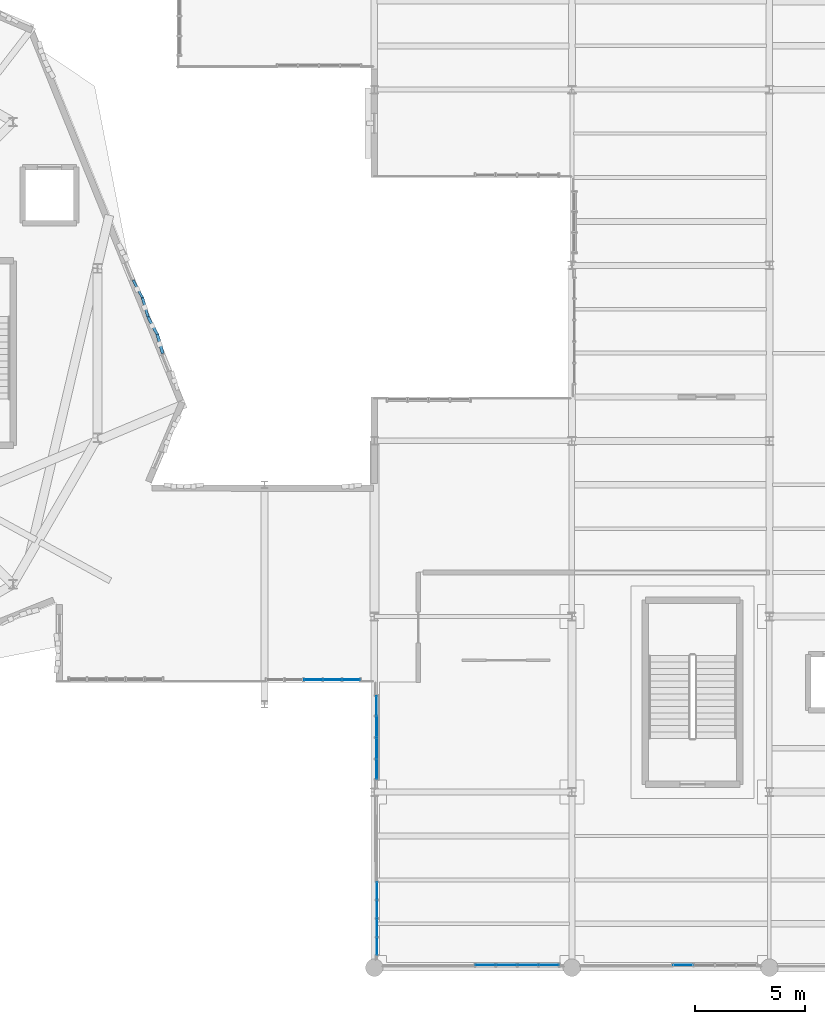
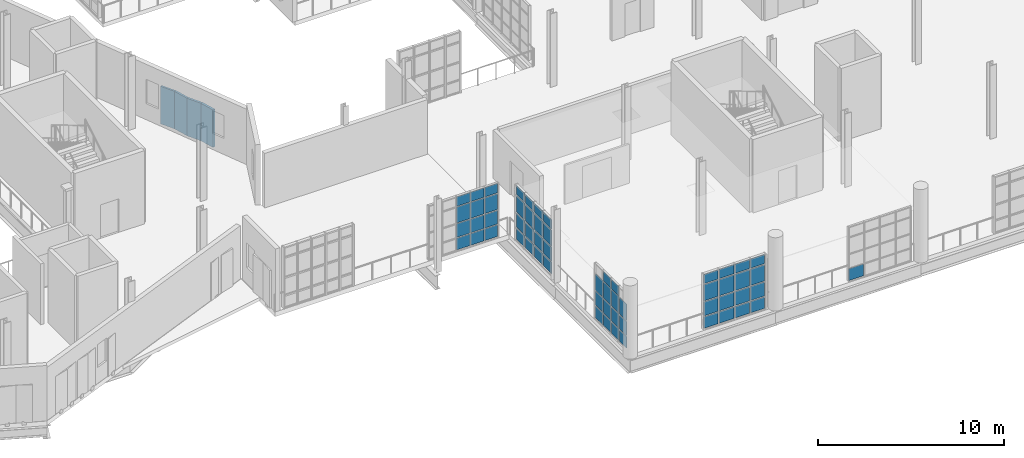
# One storey, part 81 of 122: 63 plates, 5 elements without a shape of their own.
"""IFC4 building model written with IfcOpenShell, lengths in metres."""

from ifc_helpers import new_model, si_unit, direction, frame, frame_2d, origin, origin_2d, place, context, subcontext, project, spatial, rectangle, extrude, material, layer, layer_set, type_object, element, aggregate, save


model = new_model("IFC4")

# Units and contexts
model_context = context("Model", 3, precision=1e-05, world=origin(), true_north=direction((0.0, 1.0)))
body_context = subcontext(model_context, "Body", "Model", "MODEL_VIEW")
ifc_project = project(units=[si_unit("LENGTHUNIT", "METRE"), si_unit("AREAUNIT", "SQUARE_METRE"), si_unit("VOLUMEUNIT", "CUBIC_METRE"), si_unit("PLANEANGLEUNIT", "RADIAN"), si_unit("MASSUNIT", "GRAM", prefix="KILO"), si_unit("THERMODYNAMICTEMPERATUREUNIT", "KELVIN"), si_unit("POWERUNIT", "WATT")], contexts=[model_context])

# Site, building, storey
site_placement = place(None, origin())
site = spatial("IfcSite", under=ifc_project, at=site_placement, CompositionType="ELEMENT")
building_placement = place(site_placement, origin())
building = spatial("IfcBuilding", under=site, at=building_placement, Name="Zelmaris Science Centre", CompositionType="ELEMENT")
storey_placement = place(building_placement, frame((0.0, 0.0, 10.800048828125)))
storey = spatial("IfcBuildingStorey", under=building, at=storey_placement, Name="L02", CompositionType="ELEMENT", Elevation=10.800048828125)

# Curtain wall, plates
ifc_material_1 = material(Name="Anodised architectural aluminium 6063-T6", Category="aluminium")
ifc_layer_1 = layer(ifc_material_1, 0.199951171875, Name="Anodised architectural aluminium 6063-T6")
ifc_layer_set_1 = layer_set([ifc_layer_1], Name="Anodised architectural aluminium 6063-T6")
curtain_wall_type_1 = type_object("IfcCurtainWallType", Name="Curtain Wall CW-02", PredefinedType="USERDEFINED", material=ifc_layer_set_1)
curtain_wall_1_placement = place(storey_placement, origin())
curtain_wall_1 = element("IfcCurtainWall", 1, at=curtain_wall_1_placement, inside=storey, type_object=curtain_wall_type_1, Name="L02 Unitised curtain wall 242", ObjectType="GLAZED CURTAIN WALL", PredefinedType="USERDEFINED")
ifc_material_2 = material(Name="Laminated hurricane-rated low-E insulated glazing", Category="glass")
ifc_layer_2 = layer(ifc_material_2, 0.028076171875, Name="Laminated hurricane-rated low-E insulated glazing")
ifc_layer_set_2 = layer_set([ifc_layer_2], Name="Laminated hurricane-rated low-E insulated glazing")
plate_type_1 = type_object("IfcPlateType", Name="Curtain Glazing Panel CWP-2 28mm", PredefinedType="CURTAIN_PANEL", material=ifc_layer_set_2)
plate_1_placement = place(storey_placement, frame((115.955810546875, 8.1201171875, 0.052001953125), z_axis=(0.0, 0.0, 1.0), x_axis=(-1.0, 0.0, 0.0)))
plate_1 = element("IfcPlate", 2, at=plate_1_placement, type_object=plate_type_1, Name="CW-02 panel 1.1", PredefinedType="CURTAIN_PANEL", context=body_context, shape_type="SweptSolid", body=[
    extrude(rectangle(XDim=0.87451171875, YDim=0.028076171875, at=origin_2d()), origin(), (0.0, 0.0, 1.0), 0.74951171875),
])
plate_2_placement = place(storey_placement, frame((115.955810546875, 8.1201171875, 0.868408203125), z_axis=(0.0, 0.0, 1.0), x_axis=(-1.0, 0.0, 0.0)))
plate_2 = element("IfcPlate", 3, at=plate_2_placement, type_object=plate_type_1, Name="CW-02 panel 1.2", PredefinedType="CURTAIN_PANEL", context=body_context, shape_type="SweptSolid", body=[
    extrude(rectangle(XDim=0.87451171875, YDim=0.028076171875, at=origin_2d()), origin(), (0.0, 0.0, 1.0), 0.91357421875),
])
plate_3_placement = place(storey_placement, frame((115.955810546875, 8.1201171875, 1.848876953125), z_axis=(0.0, 0.0, 1.0), x_axis=(-1.0, 0.0, 0.0)))
plate_3 = element("IfcPlate", 4, at=plate_3_placement, type_object=plate_type_1, Name="CW-02 panel 1.3", PredefinedType="CURTAIN_PANEL", context=body_context, shape_type="SweptSolid", body=[
    extrude(rectangle(XDim=0.87451171875, YDim=0.028076171875, at=origin_2d()), origin(), (0.0, 0.0, 1.0), 1.0634765625),
])
plate_4_placement = place(storey_placement, frame((115.955810546875, 8.1201171875, 2.9794921875), z_axis=(0.0, 0.0, 1.0), x_axis=(-1.0, 0.0, 0.0)))
plate_4 = element("IfcPlate", 5, at=plate_4_placement, type_object=plate_type_1, Name="CW-02 panel 1.4", PredefinedType="CURTAIN_PANEL", context=body_context, shape_type="SweptSolid", body=[
    extrude(rectangle(XDim=0.87451171875, YDim=0.028076171875, at=origin_2d()), origin(), (0.0, 0.0, 1.0), 0.599609375),
])
plate_5_placement = place(storey_placement, frame((114.99755859375, 8.1201171875, 0.052001953125), z_axis=(0.0, 0.0, 1.0), x_axis=(-1.0, 0.0, 0.0)))
plate_5 = element("IfcPlate", 6, at=plate_5_placement, type_object=plate_type_1, Name="CW-02 panel 2.1", PredefinedType="CURTAIN_PANEL", context=body_context, shape_type="SweptSolid", body=[
    extrude(rectangle(XDim=0.907958984375, YDim=0.028076171875, at=origin_2d()), origin(), (0.0, 0.0, 1.0), 0.74951171875),
])
plate_6_placement = place(storey_placement, frame((114.99755859375, 8.1201171875, 0.868408203125), z_axis=(0.0, 0.0, 1.0), x_axis=(-1.0, 0.0, 0.0)))
plate_6 = element("IfcPlate", 7, at=plate_6_placement, type_object=plate_type_1, Name="CW-02 panel 2.2", PredefinedType="CURTAIN_PANEL", context=body_context, shape_type="SweptSolid", body=[
    extrude(rectangle(XDim=0.907958984375, YDim=0.028076171875, at=origin_2d()), origin(), (0.0, 0.0, 1.0), 0.91357421875),
])
plate_7_placement = place(storey_placement, frame((114.99755859375, 8.1201171875, 1.848876953125), z_axis=(0.0, 0.0, 1.0), x_axis=(-1.0, 0.0, 0.0)))
plate_7 = element("IfcPlate", 8, at=plate_7_placement, type_object=plate_type_1, Name="CW-02 panel 2.3", PredefinedType="CURTAIN_PANEL", context=body_context, shape_type="SweptSolid", body=[
    extrude(rectangle(XDim=0.907958984375, YDim=0.028076171875, at=origin_2d()), origin(), (0.0, 0.0, 1.0), 1.0634765625),
])
plate_8_placement = place(storey_placement, frame((114.99755859375, 8.1201171875, 2.9794921875), z_axis=(0.0, 0.0, 1.0), x_axis=(-1.0, 0.0, 0.0)))
plate_8 = element("IfcPlate", 9, at=plate_8_placement, type_object=plate_type_1, Name="CW-02 panel 2.4", PredefinedType="CURTAIN_PANEL", context=body_context, shape_type="SweptSolid", body=[
    extrude(rectangle(XDim=0.907958984375, YDim=0.028076171875, at=origin_2d()), origin(), (0.0, 0.0, 1.0), 0.599609375),
])
plate_9_placement = place(storey_placement, frame((114.0224609375, 8.1201171875, 0.052001953125), z_axis=(0.0, 0.0, 1.0), x_axis=(-1.0, 0.0, 0.0)))
plate_9 = element("IfcPlate", 10, at=plate_9_placement, type_object=plate_type_1, Name="CW-02 panel 3.1", PredefinedType="CURTAIN_PANEL", context=body_context, shape_type="SweptSolid", body=[
    extrude(rectangle(XDim=0.907958984375, YDim=0.028076171875, at=origin_2d()), origin(), (0.0, 0.0, 1.0), 0.74951171875),
])
plate_10_placement = place(storey_placement, frame((114.0224609375, 8.1201171875, 0.868408203125), z_axis=(0.0, 0.0, 1.0), x_axis=(-1.0, 0.0, 0.0)))
plate_10 = element("IfcPlate", 11, at=plate_10_placement, type_object=plate_type_1, Name="CW-02 panel 3.2", PredefinedType="CURTAIN_PANEL", context=body_context, shape_type="SweptSolid", body=[
    extrude(rectangle(XDim=0.907958984375, YDim=0.028076171875, at=origin_2d()), origin(), (0.0, 0.0, 1.0), 0.91357421875),
])
plate_11_placement = place(storey_placement, frame((114.0224609375, 8.1201171875, 1.848876953125), z_axis=(0.0, 0.0, 1.0), x_axis=(-1.0, 0.0, 0.0)))
plate_11 = element("IfcPlate", 12, at=plate_11_placement, type_object=plate_type_1, Name="CW-02 panel 3.3", PredefinedType="CURTAIN_PANEL", context=body_context, shape_type="SweptSolid", body=[
    extrude(rectangle(XDim=0.907958984375, YDim=0.028076171875, at=origin_2d()), origin(), (0.0, 0.0, 1.0), 1.0634765625),
])
plate_12_placement = place(storey_placement, frame((114.0224609375, 8.1201171875, 2.9794921875), z_axis=(0.0, 0.0, 1.0), x_axis=(-1.0, 0.0, 0.0)))
plate_12 = element("IfcPlate", 13, at=plate_12_placement, type_object=plate_type_1, Name="CW-02 panel 3.4", PredefinedType="CURTAIN_PANEL", context=body_context, shape_type="SweptSolid", body=[
    extrude(rectangle(XDim=0.907958984375, YDim=0.028076171875, at=origin_2d()), origin(), (0.0, 0.0, 1.0), 0.599609375),
])
plate_13_placement = place(storey_placement, frame((113.064208984375, 8.1201171875, 0.052001953125), z_axis=(0.0, 0.0, 1.0), x_axis=(-1.0, 0.0, 0.0)))
plate_13 = element("IfcPlate", 14, at=plate_13_placement, type_object=plate_type_1, Name="CW-02 panel 4.1", PredefinedType="CURTAIN_PANEL", context=body_context, shape_type="SweptSolid", body=[
    extrude(rectangle(XDim=0.87451171875, YDim=0.028076171875, at=origin_2d()), origin(), (0.0, 0.0, 1.0), 0.74951171875),
])
plate_14_placement = place(storey_placement, frame((113.064208984375, 8.1201171875, 0.868408203125), z_axis=(0.0, 0.0, 1.0), x_axis=(-1.0, 0.0, 0.0)))
plate_14 = element("IfcPlate", 15, at=plate_14_placement, type_object=plate_type_1, Name="CW-02 panel 4.2", PredefinedType="CURTAIN_PANEL", context=body_context, shape_type="SweptSolid", body=[
    extrude(rectangle(XDim=0.87451171875, YDim=0.028076171875, at=origin_2d()), origin(), (0.0, 0.0, 1.0), 0.91357421875),
])
plate_15_placement = place(storey_placement, frame((113.064208984375, 8.1201171875, 1.848876953125), z_axis=(0.0, 0.0, 1.0), x_axis=(-1.0, 0.0, 0.0)))
plate_15 = element("IfcPlate", 16, at=plate_15_placement, type_object=plate_type_1, Name="CW-02 panel 4.3", PredefinedType="CURTAIN_PANEL", context=body_context, shape_type="SweptSolid", body=[
    extrude(rectangle(XDim=0.87451171875, YDim=0.028076171875, at=origin_2d()), origin(), (0.0, 0.0, 1.0), 1.0634765625),
])
plate_16_placement = place(storey_placement, frame((113.064208984375, 8.1201171875, 2.9794921875), z_axis=(0.0, 0.0, 1.0), x_axis=(-1.0, 0.0, 0.0)))
plate_16 = element("IfcPlate", 17, at=plate_16_placement, type_object=plate_type_1, Name="CW-02 panel 4.4", PredefinedType="CURTAIN_PANEL", context=body_context, shape_type="SweptSolid", body=[
    extrude(rectangle(XDim=0.87451171875, YDim=0.028076171875, at=origin_2d()), origin(), (0.0, 0.0, 1.0), 0.599609375),
])
aggregate(curtain_wall_1, [plate_1, plate_2, plate_3, plate_4, plate_5, plate_6, plate_7, plate_8, plate_9, plate_10, plate_11, plate_12, plate_13, plate_14, plate_15, plate_16])

curtain_wall_2_placement = place(storey_placement, origin())
curtain_wall_2 = element("IfcCurtainWall", 18, at=curtain_wall_2_placement, inside=storey, type_object=curtain_wall_type_1, Name="L02 Unitised curtain wall 246", ObjectType="GLAZED CURTAIN WALL", PredefinedType="USERDEFINED")
plate_17_placement = place(storey_placement, frame((108.110595703125, 17.044189453125, 0.052001953125), z_axis=(0.0, 0.0, 1.0), x_axis=(-0.001051793874, 0.999999446865, 0.0)))
plate_17 = element("IfcPlate", 19, at=plate_17_placement, type_object=plate_type_1, Name="CW-02 panel 1.1", PredefinedType="CURTAIN_PANEL", context=body_context, shape_type="SweptSolid", body=[
    extrude(rectangle(XDim=0.8740234375, YDim=0.028076171875, at=origin_2d()), origin(), (0.0, 0.0, 1.0), 0.74951171875),
])
plate_18_placement = place(storey_placement, frame((108.110595703125, 17.044189453125, 0.868408203125), z_axis=(0.0, 0.0, 1.0), x_axis=(-0.001051793874, 0.999999446865, 0.0)))
plate_18 = element("IfcPlate", 20, at=plate_18_placement, type_object=plate_type_1, Name="CW-02 panel 1.2", PredefinedType="CURTAIN_PANEL", context=body_context, shape_type="SweptSolid", body=[
    extrude(rectangle(XDim=0.8740234375, YDim=0.028076171875, at=origin_2d()), origin(), (0.0, 0.0, 1.0), 0.91259765625),
])
plate_19_placement = place(storey_placement, frame((108.110595703125, 17.044189453125, 1.847900390625), z_axis=(0.0, 0.0, 1.0), x_axis=(-0.001051793874, 0.999999446865, 0.0)))
plate_19 = element("IfcPlate", 21, at=plate_19_placement, type_object=plate_type_1, Name="CW-02 panel 1.3", PredefinedType="CURTAIN_PANEL", context=body_context, shape_type="SweptSolid", body=[
    extrude(rectangle(XDim=0.8740234375, YDim=0.028076171875, at=origin_2d()), origin(), (0.0, 0.0, 1.0), 1.0625),
])
plate_20_placement = place(storey_placement, frame((108.110595703125, 17.044189453125, 2.977294921875), z_axis=(0.0, 0.0, 1.0), x_axis=(-0.001051793874, 0.999999446865, 0.0)))
plate_20 = element("IfcPlate", 22, at=plate_20_placement, type_object=plate_type_1, Name="CW-02 panel 1.4", PredefinedType="CURTAIN_PANEL", context=body_context, shape_type="SweptSolid", body=[
    extrude(rectangle(XDim=0.8740234375, YDim=0.028076171875, at=origin_2d()), origin(), (0.0, 0.0, 1.0), 0.599609375),
])
plate_21_placement = place(storey_placement, frame((108.109619140625, 18.001953125, 0.052001953125), z_axis=(0.0, 0.0, 1.0), x_axis=(-0.001051793874, 0.999999446865, 0.0)))
plate_21 = element("IfcPlate", 23, at=plate_21_placement, type_object=plate_type_1, Name="CW-02 panel 2.1", PredefinedType="CURTAIN_PANEL", context=body_context, shape_type="SweptSolid", body=[
    extrude(rectangle(XDim=0.907470703125, YDim=0.028076171875, at=origin_2d()), origin(), (0.0, 0.0, 1.0), 0.74951171875),
])
plate_22_placement = place(storey_placement, frame((108.109619140625, 18.001953125, 0.868408203125), z_axis=(0.0, 0.0, 1.0), x_axis=(-0.001051793874, 0.999999446865, 0.0)))
plate_22 = element("IfcPlate", 24, at=plate_22_placement, type_object=plate_type_1, Name="CW-02 panel 2.2", PredefinedType="CURTAIN_PANEL", context=body_context, shape_type="SweptSolid", body=[
    extrude(rectangle(XDim=0.907470703125, YDim=0.028076171875, at=origin_2d()), origin(), (0.0, 0.0, 1.0), 0.91259765625),
])
plate_23_placement = place(storey_placement, frame((108.109619140625, 18.001953125, 1.847900390625), z_axis=(0.0, 0.0, 1.0), x_axis=(-0.001051793874, 0.999999446865, 0.0)))
plate_23 = element("IfcPlate", 25, at=plate_23_placement, type_object=plate_type_1, Name="CW-02 panel 2.3", PredefinedType="CURTAIN_PANEL", context=body_context, shape_type="SweptSolid", body=[
    extrude(rectangle(XDim=0.907470703125, YDim=0.028076171875, at=origin_2d()), origin(), (0.0, 0.0, 1.0), 1.0625),
])
plate_24_placement = place(storey_placement, frame((108.109619140625, 18.001953125, 2.977294921875), z_axis=(0.0, 0.0, 1.0), x_axis=(-0.001051793874, 0.999999446865, 0.0)))
plate_24 = element("IfcPlate", 26, at=plate_24_placement, type_object=plate_type_1, Name="CW-02 panel 2.4", PredefinedType="CURTAIN_PANEL", context=body_context, shape_type="SweptSolid", body=[
    extrude(rectangle(XDim=0.907470703125, YDim=0.028076171875, at=origin_2d()), origin(), (0.0, 0.0, 1.0), 0.599609375),
])
plate_25_placement = place(storey_placement, frame((108.108642578125, 18.976318359375, 0.052001953125), z_axis=(0.0, 0.0, 1.0), x_axis=(-0.001051793874, 0.999999446865, 0.0)))
plate_25 = element("IfcPlate", 27, at=plate_25_placement, type_object=plate_type_1, Name="CW-02 panel 3.1", PredefinedType="CURTAIN_PANEL", context=body_context, shape_type="SweptSolid", body=[
    extrude(rectangle(XDim=0.907470703125, YDim=0.028076171875, at=origin_2d()), origin(), (0.0, 0.0, 1.0), 0.74951171875),
])
plate_26_placement = place(storey_placement, frame((108.108642578125, 18.976318359375, 0.868408203125), z_axis=(0.0, 0.0, 1.0), x_axis=(-0.001051793874, 0.999999446865, 0.0)))
plate_26 = element("IfcPlate", 28, at=plate_26_placement, type_object=plate_type_1, Name="CW-02 panel 3.2", PredefinedType="CURTAIN_PANEL", context=body_context, shape_type="SweptSolid", body=[
    extrude(rectangle(XDim=0.907470703125, YDim=0.028076171875, at=origin_2d()), origin(), (0.0, 0.0, 1.0), 0.91259765625),
])
plate_27_placement = place(storey_placement, frame((108.108642578125, 18.976318359375, 1.847900390625), z_axis=(0.0, 0.0, 1.0), x_axis=(-0.001051793874, 0.999999446865, 0.0)))
plate_27 = element("IfcPlate", 29, at=plate_27_placement, type_object=plate_type_1, Name="CW-02 panel 3.3", PredefinedType="CURTAIN_PANEL", context=body_context, shape_type="SweptSolid", body=[
    extrude(rectangle(XDim=0.907470703125, YDim=0.028076171875, at=origin_2d()), origin(), (0.0, 0.0, 1.0), 1.0625),
])
plate_28_placement = place(storey_placement, frame((108.108642578125, 18.976318359375, 2.977294921875), z_axis=(0.0, 0.0, 1.0), x_axis=(-0.001051793874, 0.999999446865, 0.0)))
plate_28 = element("IfcPlate", 30, at=plate_28_placement, type_object=plate_type_1, Name="CW-02 panel 3.4", PredefinedType="CURTAIN_PANEL", context=body_context, shape_type="SweptSolid", body=[
    extrude(rectangle(XDim=0.907470703125, YDim=0.028076171875, at=origin_2d()), origin(), (0.0, 0.0, 1.0), 0.599609375),
])
plate_29_placement = place(storey_placement, frame((108.107421875, 19.93408203125, 0.052001953125), z_axis=(0.0, 0.0, 1.0), x_axis=(-0.001051793874, 0.999999446865, 0.0)))
plate_29 = element("IfcPlate", 31, at=plate_29_placement, type_object=plate_type_1, Name="CW-02 panel 4.1", PredefinedType="CURTAIN_PANEL", context=body_context, shape_type="SweptSolid", body=[
    extrude(rectangle(XDim=0.8740234375, YDim=0.028076171875, at=origin_2d()), origin(), (0.0, 0.0, 1.0), 0.74951171875),
])
plate_30_placement = place(storey_placement, frame((108.107421875, 19.93408203125, 0.868408203125), z_axis=(0.0, 0.0, 1.0), x_axis=(-0.001051793874, 0.999999446865, 0.0)))
plate_30 = element("IfcPlate", 32, at=plate_30_placement, type_object=plate_type_1, Name="CW-02 panel 4.2", PredefinedType="CURTAIN_PANEL", context=body_context, shape_type="SweptSolid", body=[
    extrude(rectangle(XDim=0.8740234375, YDim=0.028076171875, at=origin_2d()), origin(), (0.0, 0.0, 1.0), 0.91259765625),
])
plate_31_placement = place(storey_placement, frame((108.107421875, 19.93408203125, 1.847900390625), z_axis=(0.0, 0.0, 1.0), x_axis=(-0.001051793874, 0.999999446865, 0.0)))
plate_31 = element("IfcPlate", 33, at=plate_31_placement, type_object=plate_type_1, Name="CW-02 panel 4.3", PredefinedType="CURTAIN_PANEL", context=body_context, shape_type="SweptSolid", body=[
    extrude(rectangle(XDim=0.8740234375, YDim=0.028076171875, at=origin_2d()), origin(), (0.0, 0.0, 1.0), 1.0625),
])
plate_32_placement = place(storey_placement, frame((108.107421875, 19.93408203125, 2.977294921875), z_axis=(0.0, 0.0, 1.0), x_axis=(-0.001051793874, 0.999999446865, 0.0)))
plate_32 = element("IfcPlate", 34, at=plate_32_placement, type_object=plate_type_1, Name="CW-02 panel 4.4", PredefinedType="CURTAIN_PANEL", context=body_context, shape_type="SweptSolid", body=[
    extrude(rectangle(XDim=0.8740234375, YDim=0.028076171875, at=origin_2d()), origin(), (0.0, 0.0, 1.0), 0.599609375),
])
aggregate(curtain_wall_2, [plate_17, plate_18, plate_19, plate_20, plate_21, plate_22, plate_23, plate_24, plate_25, plate_26, plate_27, plate_28, plate_29, plate_30, plate_31, plate_32])

ifc_layer_3 = layer(ifc_material_1, 0.2099609375, Name="Anodised architectural aluminium 6063-T6")
ifc_layer_set_3 = layer_set([ifc_layer_3], Name="Anodised architectural aluminium 6063-T6")
curtain_wall_type_2 = type_object("IfcCurtainWallType", Name="Curtain Wall CW-03", PredefinedType="USERDEFINED", material=ifc_layer_set_3)
curtain_wall_3_placement = place(storey_placement, origin())
curtain_wall_3 = element("IfcCurtainWall", 35, at=curtain_wall_3_placement, inside=storey, type_object=curtain_wall_type_2, Name="L02 Unitised curtain wall 247", ObjectType="GLAZED CURTAIN WALL", PredefinedType="USERDEFINED")
ifc_layer_4 = layer(ifc_material_2, 0.02587890625, Name="Laminated hurricane-rated low-E insulated glazing")
ifc_layer_set_4 = layer_set([ifc_layer_4], Name="Laminated hurricane-rated low-E insulated glazing")
plate_type_2 = type_object("IfcPlateType", Name="Curtain Glazing Panel CWP-3 26mm", PredefinedType="CURTAIN_PANEL", material=ifc_layer_set_4)
plate_33_placement = place(storey_placement, frame((106.948486328125, 21.1201171875, 0.0419921875), z_axis=(0.0, 0.0, 1.0), x_axis=(-1.0, 0.0, 0.0)))
plate_33 = element("IfcPlate", 36, at=plate_33_placement, type_object=plate_type_2, Name="CW-03 panel 1.1", PredefinedType="CURTAIN_PANEL", context=body_context, shape_type="SweptSolid", body=[
    extrude(rectangle(XDim=0.7890625, YDim=0.02587890625, at=origin_2d()), origin(), (0.0, 0.0, 1.0), 0.764404296875),
])
plate_34_placement = place(storey_placement, frame((106.948486328125, 21.1201171875, 0.86328125), z_axis=(0.0, 0.0, 1.0), x_axis=(-1.0, 0.0, 0.0)))
plate_34 = element("IfcPlate", 37, at=plate_34_placement, type_object=plate_type_2, Name="CW-03 panel 1.2", PredefinedType="CURTAIN_PANEL", context=body_context, shape_type="SweptSolid", body=[
    extrude(rectangle(XDim=0.7890625, YDim=0.02587890625, at=origin_2d()), origin(), (0.0, 0.0, 1.0), 0.886962890625),
])
plate_35_placement = place(storey_placement, frame((106.948486328125, 21.1201171875, 1.807373046875), z_axis=(0.0, 0.0, 1.0), x_axis=(-1.0, 0.0, 0.0)))
plate_35 = element("IfcPlate", 38, at=plate_35_placement, type_object=plate_type_2, Name="CW-03 panel 1.3", PredefinedType="CURTAIN_PANEL", context=body_context, shape_type="SweptSolid", body=[
    extrude(rectangle(XDim=0.7890625, YDim=0.02587890625, at=origin_2d()), origin(), (0.0, 0.0, 1.0), 1.037109375),
])
plate_36_placement = place(storey_placement, frame((106.948486328125, 21.1201171875, 2.9013671875), z_axis=(0.0, 0.0, 1.0), x_axis=(-1.0, 0.0, 0.0)))
plate_36 = element("IfcPlate", 39, at=plate_36_placement, type_object=plate_type_2, Name="CW-03 panel 1.4", PredefinedType="CURTAIN_PANEL", context=body_context, shape_type="SweptSolid", body=[
    extrude(rectangle(XDim=0.7890625, YDim=0.02587890625, at=origin_2d()), origin(), (0.0, 0.0, 1.0), 0.614501953125),
])
plate_37_placement = place(storey_placement, frame((106.087890625, 21.1201171875, 0.0419921875), z_axis=(0.0, 0.0, 1.0), x_axis=(-1.0, 0.0, 0.0)))
plate_37 = element("IfcPlate", 40, at=plate_37_placement, type_object=plate_type_2, Name="CW-03 panel 2.1", PredefinedType="CURTAIN_PANEL", context=body_context, shape_type="SweptSolid", body=[
    extrude(rectangle(XDim=0.817626953125, YDim=0.02587890625, at=origin_2d()), origin(), (0.0, 0.0, 1.0), 0.764404296875),
])
plate_38_placement = place(storey_placement, frame((106.087890625, 21.1201171875, 0.86328125), z_axis=(0.0, 0.0, 1.0), x_axis=(-1.0, 0.0, 0.0)))
plate_38 = element("IfcPlate", 41, at=plate_38_placement, type_object=plate_type_2, Name="CW-03 panel 2.2", PredefinedType="CURTAIN_PANEL", context=body_context, shape_type="SweptSolid", body=[
    extrude(rectangle(XDim=0.817626953125, YDim=0.02587890625, at=origin_2d()), origin(), (0.0, 0.0, 1.0), 0.886962890625),
])
plate_39_placement = place(storey_placement, frame((106.087890625, 21.1201171875, 1.807373046875), z_axis=(0.0, 0.0, 1.0), x_axis=(-1.0, 0.0, 0.0)))
plate_39 = element("IfcPlate", 42, at=plate_39_placement, type_object=plate_type_2, Name="CW-03 panel 2.3", PredefinedType="CURTAIN_PANEL", context=body_context, shape_type="SweptSolid", body=[
    extrude(rectangle(XDim=0.817626953125, YDim=0.02587890625, at=origin_2d()), origin(), (0.0, 0.0, 1.0), 1.037109375),
])
plate_40_placement = place(storey_placement, frame((106.087890625, 21.1201171875, 2.9013671875), z_axis=(0.0, 0.0, 1.0), x_axis=(-1.0, 0.0, 0.0)))
plate_40 = element("IfcPlate", 43, at=plate_40_placement, type_object=plate_type_2, Name="CW-03 panel 2.4", PredefinedType="CURTAIN_PANEL", context=body_context, shape_type="SweptSolid", body=[
    extrude(rectangle(XDim=0.817626953125, YDim=0.02587890625, at=origin_2d()), origin(), (0.0, 0.0, 1.0), 0.614501953125),
])
plate_41_placement = place(storey_placement, frame((105.21337890625, 21.1201171875, 0.0419921875), z_axis=(0.0, 0.0, 1.0), x_axis=(-1.0, 0.0, 0.0)))
plate_41 = element("IfcPlate", 44, at=plate_41_placement, type_object=plate_type_2, Name="CW-03 panel 3.1", PredefinedType="CURTAIN_PANEL", context=body_context, shape_type="SweptSolid", body=[
    extrude(rectangle(XDim=0.817626953125, YDim=0.02587890625, at=origin_2d()), origin(), (0.0, 0.0, 1.0), 0.764404296875),
])
plate_42_placement = place(storey_placement, frame((105.21337890625, 21.1201171875, 0.86328125), z_axis=(0.0, 0.0, 1.0), x_axis=(-1.0, 0.0, 0.0)))
plate_42 = element("IfcPlate", 45, at=plate_42_placement, type_object=plate_type_2, Name="CW-03 panel 3.2", PredefinedType="CURTAIN_PANEL", context=body_context, shape_type="SweptSolid", body=[
    extrude(rectangle(XDim=0.817626953125, YDim=0.02587890625, at=origin_2d()), origin(), (0.0, 0.0, 1.0), 0.886962890625),
])
plate_43_placement = place(storey_placement, frame((105.21337890625, 21.1201171875, 1.807373046875), z_axis=(0.0, 0.0, 1.0), x_axis=(-1.0, 0.0, 0.0)))
plate_43 = element("IfcPlate", 46, at=plate_43_placement, type_object=plate_type_2, Name="CW-03 panel 3.3", PredefinedType="CURTAIN_PANEL", context=body_context, shape_type="SweptSolid", body=[
    extrude(rectangle(XDim=0.817626953125, YDim=0.02587890625, at=origin_2d()), origin(), (0.0, 0.0, 1.0), 1.037109375),
])
plate_44_placement = place(storey_placement, frame((105.21337890625, 21.1201171875, 2.9013671875), z_axis=(0.0, 0.0, 1.0), x_axis=(-1.0, 0.0, 0.0)))
plate_44 = element("IfcPlate", 47, at=plate_44_placement, type_object=plate_type_2, Name="CW-03 panel 3.4", PredefinedType="CURTAIN_PANEL", context=body_context, shape_type="SweptSolid", body=[
    extrude(rectangle(XDim=0.817626953125, YDim=0.02587890625, at=origin_2d()), origin(), (0.0, 0.0, 1.0), 0.614501953125),
])
aggregate(curtain_wall_3, [plate_33, plate_34, plate_35, plate_36, plate_37, plate_38, plate_39, plate_40, plate_41, plate_42, plate_43, plate_44])

# Curtain wall, plate
ifc_layer_5 = layer(ifc_material_1, 0.219970703125, Name="Anodised architectural aluminium 6063-T6")
ifc_layer_set_5 = layer_set([ifc_layer_5], Name="Anodised architectural aluminium 6063-T6")
curtain_wall_type_3 = type_object("IfcCurtainWallType", Name="Curtain Wall CW-04", PredefinedType="USERDEFINED", material=ifc_layer_set_5)
curtain_wall_4_placement = place(storey_placement, origin())
curtain_wall_4 = element("IfcCurtainWall", 48, at=curtain_wall_4_placement, inside=storey, type_object=curtain_wall_type_3, Name="L02 Unitised curtain wall 240", ObjectType="GLAZED CURTAIN WALL", PredefinedType="USERDEFINED")
ifc_layer_6 = layer(ifc_material_2, 0.02392578125, Name="Laminated hurricane-rated low-E insulated glazing")
ifc_layer_set_6 = layer_set([ifc_layer_6], Name="Laminated hurricane-rated low-E insulated glazing")
plate_type_3 = type_object("IfcPlateType", Name="Curtain Glazing Panel CWP-4 24mm", PredefinedType="CURTAIN_PANEL", material=ifc_layer_set_6)
plate_45_placement = place(storey_placement, frame((122.060546875, 8.1201171875, 0.036865234375), z_axis=(0.0, 0.0, 1.0), x_axis=(-1.0, 0.0, 0.0)))
plate_45 = element("IfcPlate", 49, at=plate_45_placement, type_object=plate_type_3, Name="CW-04 panel 4.1", PredefinedType="CURTAIN_PANEL", context=body_context, shape_type="SweptSolid", body=[
    extrude(rectangle(XDim=0.89697265625, YDim=0.02392578125, at=origin_2d()), origin(), (0.0, 0.0, 1.0), 0.77197265625),
])
aggregate(curtain_wall_4, [plate_45])

# Curtain wall, plates
curtain_wall_5_placement = place(storey_placement, origin())
curtain_wall_5 = element("IfcCurtainWall", 50, at=curtain_wall_5_placement, inside=storey, type_object=curtain_wall_type_3, Name="L02 Unitised curtain wall 244", ObjectType="GLAZED CURTAIN WALL", PredefinedType="USERDEFINED")
plate_46_placement = place(storey_placement, frame((108.119140625, 8.978271484375, 0.036865234375), z_axis=(0.0, 0.0, 1.0), x_axis=(-0.001058854076, 0.999999439414, 0.0)))
plate_46 = element("IfcPlate", 51, at=plate_46_placement, type_object=plate_type_3, Name="CW-04 panel 1.1", PredefinedType="CURTAIN_PANEL", context=body_context, shape_type="SweptSolid", body=[
    extrude(rectangle(XDim=0.77197265625, YDim=0.02392578125, at=origin_2d()), origin(), (0.0, 0.0, 1.0), 0.77197265625),
])
plate_47_placement = place(storey_placement, frame((108.119140625, 8.978271484375, 0.86083984375), z_axis=(0.0, 0.0, 1.0), x_axis=(-0.001058854076, 0.999999439414, 0.0)))
plate_47 = element("IfcPlate", 52, at=plate_47_placement, type_object=plate_type_3, Name="CW-04 panel 1.2", PredefinedType="CURTAIN_PANEL", context=body_context, shape_type="SweptSolid", body=[
    extrude(rectangle(XDim=0.77197265625, YDim=0.02392578125, at=origin_2d()), origin(), (0.0, 0.0, 1.0), 0.927490234375),
])
plate_48_placement = place(storey_placement, frame((108.119140625, 8.978271484375, 1.84033203125), z_axis=(0.0, 0.0, 1.0), x_axis=(-0.001058854076, 0.999999439414, 0.0)))
plate_48 = element("IfcPlate", 53, at=plate_48_placement, type_object=plate_type_3, Name="CW-04 panel 1.3", PredefinedType="CURTAIN_PANEL", context=body_context, shape_type="SweptSolid", body=[
    extrude(rectangle(XDim=0.77197265625, YDim=0.02392578125, at=origin_2d()), origin(), (0.0, 0.0, 1.0), 1.077392578125),
])
plate_49_placement = place(storey_placement, frame((108.1181640625, 9.815185546875, 0.036865234375), z_axis=(0.0, 0.0, 1.0), x_axis=(-0.001058854076, 0.999999439414, 0.0)))
plate_49 = element("IfcPlate", 54, at=plate_49_placement, type_object=plate_type_3, Name="CW-04 panel 2.1", PredefinedType="CURTAIN_PANEL", context=body_context, shape_type="SweptSolid", body=[
    extrude(rectangle(XDim=0.798095703125, YDim=0.02392578125, at=origin_2d()), origin(), (0.0, 0.0, 1.0), 0.77197265625),
])
plate_50_placement = place(storey_placement, frame((108.1181640625, 9.815185546875, 0.86083984375), z_axis=(0.0, 0.0, 1.0), x_axis=(-0.001058854076, 0.999999439414, 0.0)))
plate_50 = element("IfcPlate", 55, at=plate_50_placement, type_object=plate_type_3, Name="CW-04 panel 2.2", PredefinedType="CURTAIN_PANEL", context=body_context, shape_type="SweptSolid", body=[
    extrude(rectangle(XDim=0.798095703125, YDim=0.02392578125, at=origin_2d()), origin(), (0.0, 0.0, 1.0), 0.927490234375),
])
plate_51_placement = place(storey_placement, frame((108.1181640625, 9.815185546875, 1.84033203125), z_axis=(0.0, 0.0, 1.0), x_axis=(-0.001058854076, 0.999999439414, 0.0)))
plate_51 = element("IfcPlate", 56, at=plate_51_placement, type_object=plate_type_3, Name="CW-04 panel 2.3", PredefinedType="CURTAIN_PANEL", context=body_context, shape_type="SweptSolid", body=[
    extrude(rectangle(XDim=0.798095703125, YDim=0.02392578125, at=origin_2d()), origin(), (0.0, 0.0, 1.0), 1.077392578125),
])
plate_52_placement = place(storey_placement, frame((108.1181640625, 9.815185546875, 2.969970703125), z_axis=(0.0, 0.0, 1.0), x_axis=(-0.001058854076, 0.999999439414, 0.0)))
plate_52 = element("IfcPlate", 57, at=plate_52_placement, type_object=plate_type_3, Name="CW-04 panel 2.4", PredefinedType="CURTAIN_PANEL", context=body_context, shape_type="SweptSolid", body=[
    extrude(rectangle(XDim=0.798095703125, YDim=0.02392578125, at=origin_2d()), origin(), (0.0, 0.0, 1.0), 0.6220703125),
])
plate_53_placement = place(storey_placement, frame((108.1171875, 10.6650390625, 0.036865234375), z_axis=(0.0, 0.0, 1.0), x_axis=(-0.001058854076, 0.999999439414, 0.0)))
plate_53 = element("IfcPlate", 58, at=plate_53_placement, type_object=plate_type_3, Name="CW-04 panel 3.1", PredefinedType="CURTAIN_PANEL", context=body_context, shape_type="SweptSolid", body=[
    extrude(rectangle(XDim=0.798095703125, YDim=0.02392578125, at=origin_2d()), origin(), (0.0, 0.0, 1.0), 0.77197265625),
])
plate_54_placement = place(storey_placement, frame((108.1171875, 10.6650390625, 0.86083984375), z_axis=(0.0, 0.0, 1.0), x_axis=(-0.001058854076, 0.999999439414, 0.0)))
plate_54 = element("IfcPlate", 59, at=plate_54_placement, type_object=plate_type_3, Name="CW-04 panel 3.2", PredefinedType="CURTAIN_PANEL", context=body_context, shape_type="SweptSolid", body=[
    extrude(rectangle(XDim=0.798095703125, YDim=0.02392578125, at=origin_2d()), origin(), (0.0, 0.0, 1.0), 0.927490234375),
])
plate_55_placement = place(storey_placement, frame((108.1171875, 10.6650390625, 1.84033203125), z_axis=(0.0, 0.0, 1.0), x_axis=(-0.001058854076, 0.999999439414, 0.0)))
plate_55 = element("IfcPlate", 60, at=plate_55_placement, type_object=plate_type_3, Name="CW-04 panel 3.3", PredefinedType="CURTAIN_PANEL", context=body_context, shape_type="SweptSolid", body=[
    extrude(rectangle(XDim=0.798095703125, YDim=0.02392578125, at=origin_2d()), origin(), (0.0, 0.0, 1.0), 1.077392578125),
])
plate_56_placement = place(storey_placement, frame((108.1171875, 10.6650390625, 2.969970703125), z_axis=(0.0, 0.0, 1.0), x_axis=(-0.001058854076, 0.999999439414, 0.0)))
plate_56 = element("IfcPlate", 61, at=plate_56_placement, type_object=plate_type_3, Name="CW-04 panel 3.4", PredefinedType="CURTAIN_PANEL", context=body_context, shape_type="SweptSolid", body=[
    extrude(rectangle(XDim=0.798095703125, YDim=0.02392578125, at=origin_2d()), origin(), (0.0, 0.0, 1.0), 0.6220703125),
])
plate_57_placement = place(storey_placement, frame((108.116455078125, 11.502197265625, 0.036865234375), z_axis=(0.0, 0.0, 1.0), x_axis=(-0.001058854076, 0.999999439414, 0.0)))
plate_57 = element("IfcPlate", 62, at=plate_57_placement, type_object=plate_type_3, Name="CW-04 panel 4.1", PredefinedType="CURTAIN_PANEL", context=body_context, shape_type="SweptSolid", body=[
    extrude(rectangle(XDim=0.77197265625, YDim=0.02392578125, at=origin_2d()), origin(), (0.0, 0.0, 1.0), 0.77197265625),
])
plate_58_placement = place(storey_placement, frame((108.116455078125, 11.502197265625, 0.86083984375), z_axis=(0.0, 0.0, 1.0), x_axis=(-0.001058854076, 0.999999439414, 0.0)))
plate_58 = element("IfcPlate", 63, at=plate_58_placement, type_object=plate_type_3, Name="CW-04 panel 4.2", PredefinedType="CURTAIN_PANEL", context=body_context, shape_type="SweptSolid", body=[
    extrude(rectangle(XDim=0.77197265625, YDim=0.02392578125, at=origin_2d()), origin(), (0.0, 0.0, 1.0), 0.927490234375),
])
plate_59_placement = place(storey_placement, frame((108.116455078125, 11.502197265625, 1.84033203125), z_axis=(0.0, 0.0, 1.0), x_axis=(-0.001058854076, 0.999999439414, 0.0)))
plate_59 = element("IfcPlate", 64, at=plate_59_placement, type_object=plate_type_3, Name="CW-04 panel 4.3", PredefinedType="CURTAIN_PANEL", context=body_context, shape_type="SweptSolid", body=[
    extrude(rectangle(XDim=0.77197265625, YDim=0.02392578125, at=origin_2d()), origin(), (0.0, 0.0, 1.0), 1.077392578125),
])
aggregate(curtain_wall_5, [plate_46, plate_47, plate_48, plate_49, plate_50, plate_51, plate_52, plate_53, plate_54, plate_55, plate_56, plate_57, plate_58, plate_59])

# Plates
ifc_material_3 = material(Name="Precast concrete C40/50", Category="concrete")
ifc_layer_7 = layer(ifc_material_3, 0.110107421875, Name="Precast concrete C40/50")
ifc_layer_set_7 = layer_set([ifc_layer_7], Name="Precast concrete C40/50")
plate_type_4 = type_object("IfcPlateType", Name="Precast Facet Panel FP-01 110mm", PredefinedType="SHEET", material=ifc_layer_set_7)
plate_60_placement = place(storey_placement, frame((97.014892578125, 39.32080078125, 0.02001953125), z_axis=(0.0, 0.0, 1.0), x_axis=(0.466647205061, -0.884443545971, 0.0)))
element("IfcPlate", 65, at=plate_60_placement, inside=storey, type_object=plate_type_4, Name="L02 Folded precast facet panel 96", PredefinedType="SHEET", context=body_context, shape_type="SweptSolid", body=[
    extrude(rectangle(XDim=0.904541015625, YDim=0.110107421875, at=frame_2d((0.4521484375, 0.0))), origin(), (0.0, 0.0, 1.0), 2.4599609375),
])
ifc_layer_8 = layer(ifc_material_3, 0.1201171875, Name="Precast concrete C40/50")
ifc_layer_set_8 = layer_set([ifc_layer_8], Name="Precast concrete C40/50")
plate_type_5 = type_object("IfcPlateType", Name="Precast Facet Panel FP-02 120mm", PredefinedType="SHEET", material=ifc_layer_set_8)
plate_61_placement = place(storey_placement, frame((97.43701171875, 38.520751953125, 0.02001953125), z_axis=(0.0, 0.0, 1.0), x_axis=(0.278745970996, -0.960364870064, 0.0)))
element("IfcPlate", 66, at=plate_61_placement, inside=storey, type_object=plate_type_5, Name="L02 Folded precast facet panel 97", PredefinedType="SHEET", context=body_context, shape_type="SweptSolid", body=[
    extrude(rectangle(XDim=0.90478515625, YDim=0.1201171875, at=frame_2d((0.452392578125, 0.0))), origin(), (0.0, 0.0, 1.0), 2.4599609375),
])
ifc_layer_9 = layer(ifc_material_3, 0.1298828125, Name="Precast concrete C40/50")
ifc_layer_set_9 = layer_set([ifc_layer_9], Name="Precast concrete C40/50")
plate_type_6 = type_object("IfcPlateType", Name="Precast Facet Panel FP-03 130mm", PredefinedType="SHEET", material=ifc_layer_set_9)
plate_62_placement = place(storey_placement, frame((97.689208984375, 37.65185546875, 0.02001953125), z_axis=(0.0, 0.0, 1.0), x_axis=(0.466436042972, -0.884554926399, 0.0)))
element("IfcPlate", 67, at=plate_62_placement, inside=storey, type_object=plate_type_6, Name="L02 Folded precast facet panel 98", PredefinedType="SHEET", context=body_context, shape_type="SweptSolid", body=[
    extrude(rectangle(XDim=0.904541015625, YDim=0.1298828125, at=frame_2d((0.4521484375, 0.0))), origin(), (0.0, 0.0, 1.0), 2.4599609375),
])
ifc_layer_10 = layer(ifc_material_3, 0.139892578125, Name="Precast concrete C40/50")
ifc_layer_set_10 = layer_set([ifc_layer_10], Name="Precast concrete C40/50")
plate_type_7 = type_object("IfcPlateType", Name="Precast Facet Panel FP-04 140mm", PredefinedType="SHEET", material=ifc_layer_set_10)
plate_63_placement = place(storey_placement, frame((98.111083984375, 36.851806640625, 0.02001953125), z_axis=(0.0, 0.0, 1.0), x_axis=(0.278745970996, -0.960364870064, 0.0)))
element("IfcPlate", 68, at=plate_63_placement, inside=storey, type_object=plate_type_7, Name="L02 Folded precast facet panel 99", PredefinedType="SHEET", context=body_context, shape_type="SweptSolid", body=[
    extrude(rectangle(XDim=0.90478515625, YDim=0.139892578125, at=frame_2d((0.452392578125, 0.0))), origin(), (0.0, 0.0, 1.0), 2.4599609375),
])

save(model, "model.ifc")
